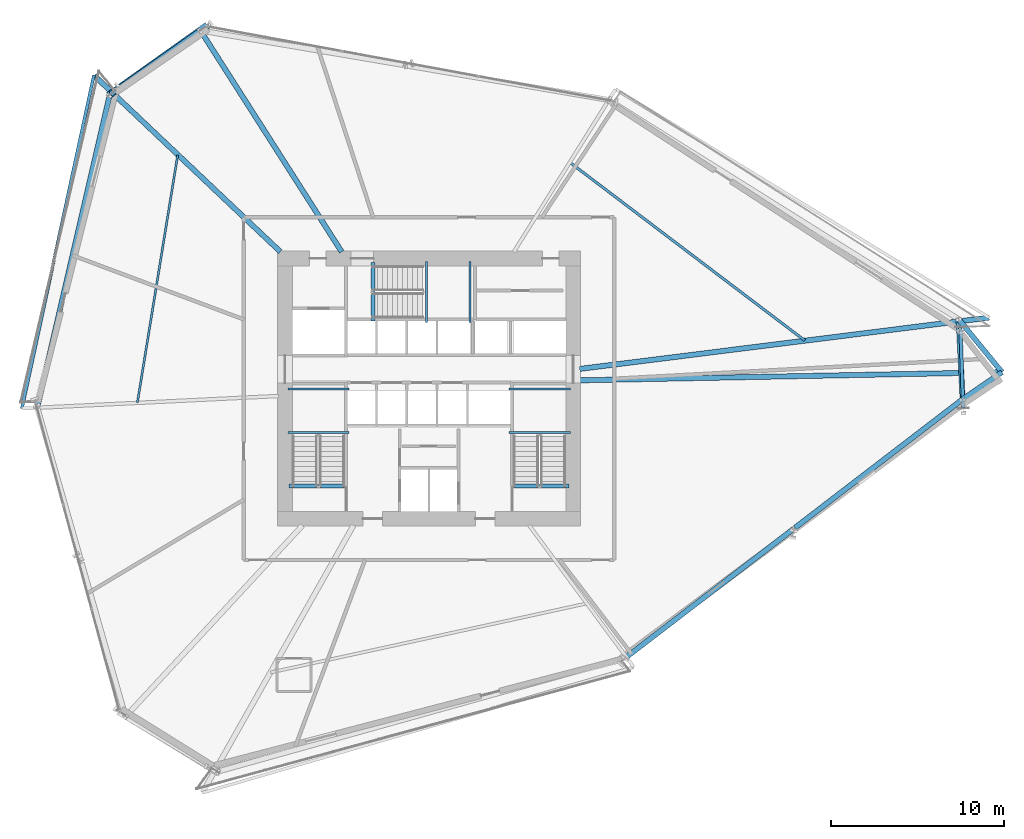
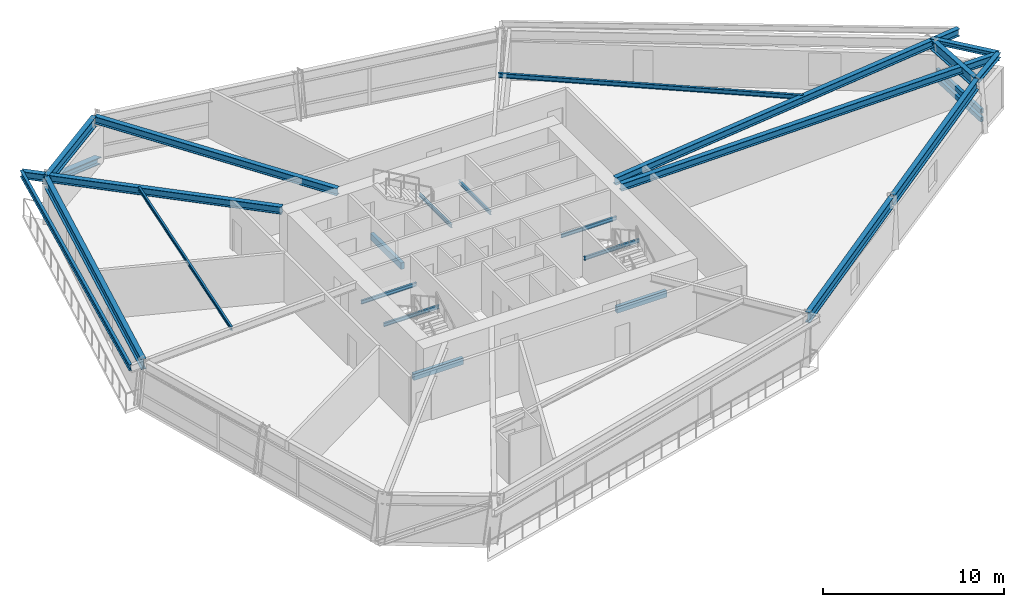
# One storey, part 7 of 20: 23 beams, 3 members.
"""IFC4 building model written with IfcOpenShell, lengths in metres."""

from ifc_helpers import new_model, si_unit, direction, frame, origin, origin_2d, place, context, subcontext, project, spatial, rectangle, hollow_rectangle, i_section, extrude, source, transform, mapped, material, material_profile, profile_set, type_object, element, save


model = new_model("IFC4")

# Units and contexts
model_context = context("Model", 3, precision=1e-05, world=origin(), true_north=direction((0.0, 1.0)))
body_context = subcontext(model_context, "Body", "Model", "MODEL_VIEW")
ifc_project = project(units=[si_unit("LENGTHUNIT", "METRE"), si_unit("AREAUNIT", "SQUARE_METRE"), si_unit("VOLUMEUNIT", "CUBIC_METRE"), si_unit("PLANEANGLEUNIT", "RADIAN"), si_unit("MASSUNIT", "GRAM", prefix="KILO")], contexts=[model_context])

# Site, building, storey
site_placement = place(None, origin())
site = spatial("IfcSite", under=ifc_project, at=site_placement, CompositionType="ELEMENT")
building_placement = place(site_placement, origin())
building = spatial("IfcBuilding", under=site, at=building_placement, Name="Olszyna Solenne Hotel", CompositionType="ELEMENT")
storey_placement = place(building_placement, frame((0.0, 0.0, 43.5)))
storey = spatial("IfcBuildingStorey", under=building, at=storey_placement, Name="L10", CompositionType="ELEMENT", Elevation=43.5)

# Beams
ifc_material_1 = material(Name="Steel S355J2", Category="steel")
ifc_material_profile_1 = material_profile(ifc_material_1, i_section(OverallWidth=0.300048828125, OverallDepth=0.699951171875, WebThickness=0.01708984375, FlangeThickness=0.031982421875, at=origin_2d()), Name="HEB 700", Category="load-bearing")
ifc_profile_set_1 = profile_set([ifc_material_profile_1], Name="Steel S355J2")
beam_type_1 = type_object("IfcBeamType", Name="BM-S1", PredefinedType="BEAM", material=ifc_profile_set_1)
shared_shape_1 = source(origin(), body_context, "Body", "SweptSolid", [
    extrude(i_section(OverallWidth=0.300048828125, OverallDepth=0.699951171875, WebThickness=0.01708984375, FlangeThickness=0.031982421875, at=origin_2d()), origin(), (0.0, 0.0, 1.0), 4.511474609375),
])
beam_1_placement = place(storey_placement, frame((68.8330078125, 26.047119140625, 2.949951171875), z_axis=(-0.049732488387, 0.998762574188, 0.0), x_axis=(-0.998762574188, -0.049732488387, 0.0)))
element("IfcBeam", 1, at=beam_1_placement, inside=storey, type_object=beam_type_1, Name="Perimeter spandrel beam BM-S1 B-L10-0318", PredefinedType="BEAM", context=body_context, shape_type="MappedRepresentation", body=[
    mapped(shared_shape_1, transform((0.0, 0.0, 0.0), x_axis=(1.0, 0.0, 0.0), y_axis=(0.0, 1.0, 0.0), z_axis=(0.0, 0.0, 1.0), scale=1.0)),
])
shared_shape_2 = source(origin(), body_context, "Body", "SweptSolid", [
    extrude(i_section(OverallWidth=0.300048828125, OverallDepth=0.699951171875, WebThickness=0.01708984375, FlangeThickness=0.031982421875, at=origin_2d()), origin(), (0.0, 0.0, 1.0), 6.298828125),
])
beam_2_placement = place(storey_placement, frame((24.7392578125, 47.263671875, 2.949951171875), z_axis=(-0.816109786851, -0.57789689029, 0.0), x_axis=(0.57789689029, -0.816109786851, 0.0)))
element("IfcBeam", 2, at=beam_2_placement, inside=storey, type_object=beam_type_1, Name="Perimeter spandrel beam BM-S1 B-L10-0322", PredefinedType="BEAM", context=body_context, shape_type="MappedRepresentation", body=[
    mapped(shared_shape_2, transform((0.0, 0.0, 0.0), x_axis=(1.0, 0.0, 0.0), y_axis=(0.0, 1.0, 0.0), z_axis=(0.0, 0.0, 1.0), scale=1.0)),
])
shared_shape_3 = source(origin(), body_context, "Body", "SweptSolid", [
    extrude(i_section(OverallWidth=0.300048828125, OverallDepth=0.699951171875, WebThickness=0.01708984375, FlangeThickness=0.031982421875, at=origin_2d()), origin(), (0.0, 0.0, 1.0), 18.447021484375),
])
beam_3_placement = place(storey_placement, frame((19.5361328125, 43.530517578125, 2.949951171875), z_axis=(-0.225742862137, -0.974186922615, 0.0), x_axis=(0.974186922615, -0.225742862137, 0.0)))
element("IfcBeam", 3, at=beam_3_placement, inside=storey, type_object=beam_type_1, Name="Perimeter spandrel beam BM-S1 B-L10-0323", PredefinedType="BEAM", context=body_context, shape_type="MappedRepresentation", body=[
    mapped(shared_shape_3, transform((0.0, 0.0, 0.0), x_axis=(1.0, 0.0, 0.0), y_axis=(0.0, 1.0, 0.0), z_axis=(0.0, 0.0, 1.0), scale=1.0)),
])
shared_shape_4 = source(origin(), body_context, "Body", "SweptSolid", [
    extrude(i_section(OverallWidth=0.300048828125, OverallDepth=0.699951171875, WebThickness=0.01708984375, FlangeThickness=0.031982421875, at=origin_2d()), origin(), (0.0, 0.0, 1.0), 12.140869140625),
])
beam_4_placement = place(storey_placement, frame((49.42333984375, 11.104248046875, 2.949951171875), z_axis=(0.793601506401, 0.608437876072, 0.0), x_axis=(-0.608437876072, 0.793601506401, 0.0)))
element("IfcBeam", 4, at=beam_4_placement, inside=storey, type_object=beam_type_1, Name="Perimeter spandrel beam BM-S1 B-L10-0328", PredefinedType="BEAM", context=body_context, shape_type="MappedRepresentation", body=[
    mapped(shared_shape_4, transform((0.0, 0.0, 0.0), x_axis=(1.0, 0.0, 0.0), y_axis=(0.0, 1.0, 0.0), z_axis=(0.0, 0.0, 1.0), scale=1.0)),
])
shared_shape_5 = source(origin(), body_context, "Body", "SweptSolid", [
    extrude(i_section(OverallWidth=0.300048828125, OverallDepth=0.699951171875, WebThickness=0.01708984375, FlangeThickness=0.031982421875, at=origin_2d()), origin(), (0.0, 0.0, 1.0), 12.140380859375),
])
beam_5_placement = place(storey_placement, frame((59.153564453125, 18.564208984375, 2.949951171875), z_axis=(0.793613481996, 0.60842225567, 0.0), x_axis=(-0.60842225567, 0.793613481996, 0.0)))
element("IfcBeam", 5, at=beam_5_placement, inside=storey, type_object=beam_type_1, Name="Perimeter spandrel beam BM-S1 B-L10-0329", PredefinedType="BEAM", context=body_context, shape_type="MappedRepresentation", body=[
    mapped(shared_shape_5, transform((0.0, 0.0, 0.0), x_axis=(1.0, 0.0, 0.0), y_axis=(0.0, 1.0, 0.0), z_axis=(0.0, 0.0, 1.0), scale=1.0)),
])
ifc_material_profile_2 = material_profile(ifc_material_1, i_section(OverallWidth=0.300048828125, OverallDepth=0.489990234375, WebThickness=0.011962890625, FlangeThickness=0.02294921875, at=origin_2d()), Name="HEA 500", Category="load-bearing")
ifc_profile_set_2 = profile_set([ifc_material_profile_2], Name="Steel S355J2")
beam_type_2 = type_object("IfcBeamType", Name="BM-G1", PredefinedType="BEAM", material=ifc_profile_set_2)
shared_shape_6 = source(origin(), body_context, "Body", "SweptSolid", [
    extrude(i_section(OverallWidth=0.300048828125, OverallDepth=0.489990234375, WebThickness=0.011962890625, FlangeThickness=0.02294921875, at=origin_2d()), origin(), (0.0, 0.0, 1.0), 24.3955078125),
])
beam_6_placement = place(storey_placement, frame((71.091064453125, 27.5517578125, 3.054931640625), z_axis=(-0.999814225078, -0.019274732971, 0.0), x_axis=(0.019274732971, -0.999814225078, 0.0)))
element("IfcBeam", 6, at=beam_6_placement, inside=storey, type_object=beam_type_2, Name="Radial floor girder BM-G1 B-L10-0330", PredefinedType="BEAM", context=body_context, shape_type="MappedRepresentation", body=[
    mapped(shared_shape_6, transform((0.0, 0.0, 0.0), x_axis=(1.0, 0.0, 0.0), y_axis=(0.0, 1.0, 0.0), z_axis=(0.0, 0.0, 1.0), scale=1.0)),
])
shared_shape_7 = source(origin(), body_context, "Body", "SweptSolid", [
    extrude(i_section(OverallWidth=0.300048828125, OverallDepth=0.489990234375, WebThickness=0.011962890625, FlangeThickness=0.02294921875, at=origin_2d()), origin(), (0.0, 0.0, 1.0), 23.84912109375),
])
beam_7_placement = place(storey_placement, frame((70.3642578125, 30.70751953125, 3.054931640625), z_axis=(-0.992232295061, -0.124398845003, 0.0), x_axis=(0.124398845003, -0.992232295061, 0.0)))
element("IfcBeam", 7, at=beam_7_placement, inside=storey, type_object=beam_type_2, Name="Radial floor girder BM-G1 B-L10-0331", PredefinedType="BEAM", context=body_context, shape_type="MappedRepresentation", body=[
    mapped(shared_shape_7, transform((0.0, 0.0, 0.0), x_axis=(1.0, 0.0, 0.0), y_axis=(0.0, 1.0, 0.0), z_axis=(0.0, 0.0, 1.0), scale=1.0)),
])
shared_shape_8 = source(origin(), body_context, "Body", "SweptSolid", [
    extrude(i_section(OverallWidth=0.300048828125, OverallDepth=0.489990234375, WebThickness=0.011962890625, FlangeThickness=0.02294921875, at=origin_2d()), origin(), (0.0, 0.0, 1.0), 15.114013671875),
])
beam_8_placement = place(storey_placement, frame((24.820556640625, 47.247802734375, 3.054931640625), z_axis=(0.538032034188, -0.842924391738, 0.0), x_axis=(0.842924391738, 0.538032034188, 0.0)))
element("IfcBeam", 8, at=beam_8_placement, inside=storey, type_object=beam_type_2, Name="Radial floor girder BM-G1 B-L10-0333", PredefinedType="BEAM", context=body_context, shape_type="MappedRepresentation", body=[
    mapped(shared_shape_8, transform((0.0, 0.0, 0.0), x_axis=(1.0, 0.0, 0.0), y_axis=(0.0, 1.0, 0.0), z_axis=(0.0, 0.0, 1.0), scale=1.0)),
])
shared_shape_9 = source(origin(), body_context, "Body", "SweptSolid", [
    extrude(i_section(OverallWidth=0.300048828125, OverallDepth=0.489990234375, WebThickness=0.011962890625, FlangeThickness=0.02294921875, at=origin_2d()), origin(), (0.0, 0.0, 1.0), 14.812744140625),
])
beam_9_placement = place(storey_placement, frame((18.645263671875, 44.69921875, 3.054931640625), z_axis=(0.726231537263, -0.687450183129, 0.0), x_axis=(0.687450183129, 0.726231537263, 0.0)))
element("IfcBeam", 9, at=beam_9_placement, inside=storey, type_object=beam_type_2, Name="Radial floor girder BM-G1 B-L10-0334", PredefinedType="BEAM", context=body_context, shape_type="MappedRepresentation", body=[
    mapped(shared_shape_9, transform((0.0, 0.0, 0.0), x_axis=(1.0, 0.0, 0.0), y_axis=(0.0, 1.0, 0.0), z_axis=(0.0, 0.0, 1.0), scale=1.0)),
])
ifc_material_profile_3 = material_profile(ifc_material_1, i_section(OverallWidth=0.300048828125, OverallDepth=0.31005859375, WebThickness=0.009033203125, FlangeThickness=0.015380859375, at=origin_2d()), Name="HEA 320", Category="load-bearing")
ifc_profile_set_3 = profile_set([ifc_material_profile_3], Name="Steel S355J2")
beam_type_3 = type_object("IfcBeamType", Name="BM-G3", PredefinedType="BEAM", material=ifc_profile_set_3)
shared_shape_10 = source(origin(), body_context, "Body", "SweptSolid", [
    extrude(i_section(OverallWidth=0.300048828125, OverallDepth=0.31005859375, WebThickness=0.009033203125, FlangeThickness=0.015380859375, at=origin_2d()), origin(), (0.0, 0.0, 1.0), 2.76123046875),
])
beam_10_placement = place(storey_placement, frame((68.8359375, 25.9873046875, 3.14501953125), z_axis=(0.823951621212, 0.566660150268, 0.0), x_axis=(-0.566660150268, 0.823951621212, 0.0)))
element("IfcBeam", 10, at=beam_10_placement, inside=storey, type_object=beam_type_3, Name="Prism side edge beam BM-G3 B-L10-0339", PredefinedType="BEAM", context=body_context, shape_type="MappedRepresentation", body=[
    mapped(shared_shape_10, transform((0.0, 0.0, 0.0), x_axis=(1.0, 0.0, 0.0), y_axis=(0.0, 1.0, 0.0), z_axis=(0.0, 0.0, 1.0), scale=1.0)),
])
shared_shape_11 = source(origin(), body_context, "Body", "SweptSolid", [
    extrude(i_section(OverallWidth=0.300048828125, OverallDepth=0.31005859375, WebThickness=0.009033203125, FlangeThickness=0.015380859375, at=origin_2d()), origin(), (0.0, 0.0, 1.0), 3.95556640625),
])
beam_11_placement = place(storey_placement, frame((68.605712890625, 30.613037109375, 3.14501953125), z_axis=(0.633372220643, -0.773847291213, 0.0), x_axis=(0.773847291213, 0.633372220643, 0.0)))
element("IfcBeam", 11, at=beam_11_placement, inside=storey, type_object=beam_type_3, Name="Prism side edge beam BM-G3 B-L10-0340", PredefinedType="BEAM", context=body_context, shape_type="MappedRepresentation", body=[
    mapped(shared_shape_11, transform((0.0, 0.0, 0.0), x_axis=(1.0, 0.0, 0.0), y_axis=(0.0, 1.0, 0.0), z_axis=(0.0, 0.0, 1.0), scale=1.0)),
])
ifc_material_profile_4 = material_profile(ifc_material_1, i_section(OverallWidth=0.14990234375, OverallDepth=0.300048828125, WebThickness=0.007080078125, FlangeThickness=0.0107421875, at=origin_2d()), Name="IPE 300", Category="load-bearing")
ifc_profile_set_4 = profile_set([ifc_material_profile_4], Name="Steel S355J2")
beam_type_4 = type_object("IfcBeamType", Name="JS-02", PredefinedType="JOIST", material=ifc_profile_set_4)
shared_shape_12 = source(origin(), body_context, "Body", "SweptSolid", [
    extrude(i_section(OverallWidth=0.14990234375, OverallDepth=0.300048828125, WebThickness=0.007080078125, FlangeThickness=0.0107421875, at=origin_2d()), origin(), (0.0, 0.0, 1.0), 17.016357421875),
])
beam_12_placement = place(storey_placement, frame((59.71044921875, 29.385986328125, 3.14990234375), z_axis=(-0.796855614126, 0.604169785935, 0.0), x_axis=(-0.604169785935, -0.796855614126, 0.0)))
element("IfcBeam", 12, at=beam_12_placement, inside=storey, type_object=beam_type_4, Name="Secondary composite floor joist JS-02 B-L10-0341", PredefinedType="JOIST", context=body_context, shape_type="MappedRepresentation", body=[
    mapped(shared_shape_12, transform((0.0, 0.0, 0.0), x_axis=(1.0, 0.0, 0.0), y_axis=(0.0, 1.0, 0.0), z_axis=(0.0, 0.0, 1.0), scale=1.0)),
])
ifc_material_profile_5 = material_profile(ifc_material_1, i_section(OverallWidth=0.1201171875, OverallDepth=0.239990234375, WebThickness=0.006103515625, FlangeThickness=0.009765625, at=origin_2d()), Name="IPE 240", Category="load-bearing")
ifc_profile_set_5 = profile_set([ifc_material_profile_5], Name="Steel S355J2")
beam_type_5 = type_object("IfcBeamType", Name="JS-03", PredefinedType="JOIST", material=ifc_profile_set_5)
shared_shape_13 = source(origin(), body_context, "Body", "SweptSolid", [
    extrude(i_section(OverallWidth=0.1201171875, OverallDepth=0.239990234375, WebThickness=0.006103515625, FlangeThickness=0.009765625, at=origin_2d()), origin(), (0.0, 0.0, 1.0), 14.494140625),
])
beam_13_placement = place(storey_placement, frame((23.47509765625, 40.1044921875, 3.179931640625), z_axis=(-0.160674838866, -0.987007394175, 0.0), x_axis=(0.987007394175, -0.160674838866, 0.0)))
element("IfcBeam", 13, at=beam_13_placement, inside=storey, type_object=beam_type_5, Name="Secondary composite floor joist JS-03 B-L10-0342", PredefinedType="JOIST", context=body_context, shape_type="MappedRepresentation", body=[
    mapped(shared_shape_13, transform((0.0, 0.0, 0.0), x_axis=(1.0, 0.0, 0.0), y_axis=(0.0, 1.0, 0.0), z_axis=(0.0, 0.0, 1.0), scale=1.0)),
])
ifc_material_profile_6 = material_profile(ifc_material_1, i_section(OverallWidth=0.179931640625, OverallDepth=0.39990234375, WebThickness=0.008544921875, FlangeThickness=0.013427734375, at=origin_2d()), Name="IPE 400", Category="load-bearing")
ifc_profile_set_6 = profile_set([ifc_material_profile_6], Name="Steel S355J2")
beam_type_6 = type_object("IfcBeamType", Name="BM-F5", PredefinedType="BEAM", material=ifc_profile_set_6)
shared_shape_14 = source(origin(), body_context, "Body", "SweptSolid", [
    extrude(i_section(OverallWidth=0.179931640625, OverallDepth=0.39990234375, WebThickness=0.008544921875, FlangeThickness=0.013427734375, at=origin_2d()), origin(), (0.0, 0.0, 1.0), 19.704833984375),
])
beam_14_placement = place(storey_placement, frame((18.630615234375, 44.712890625, 3.10009765625), z_axis=(-0.211184674121, -0.977446179294, 0.0), x_axis=(0.977446179294, -0.211184674121, 0.0)))
element("IfcBeam", 14, at=beam_14_placement, inside=storey, type_object=beam_type_6, Name="Loggia outer edge beam BM-F5 B-L10-0345", PredefinedType="BEAM", context=body_context, shape_type="MappedRepresentation", body=[
    mapped(shared_shape_14, transform((0.0, 0.0, 0.0), x_axis=(1.0, 0.0, 0.0), y_axis=(0.0, 1.0, 0.0), z_axis=(0.0, 0.0, 1.0), scale=1.0)),
])

# Members
ifc_material_profile_7 = material_profile(ifc_material_1, hollow_rectangle(XDim=0.199951171875, YDim=0.300048828125, WallThickness=0.01611328125, at=origin_2d()), Name="RHS 300x200x16", Category="load-bearing")
ifc_profile_set_7 = profile_set([ifc_material_profile_7], Name="Steel S355J2")
member_type_1 = type_object("IfcMemberType", Name="CH-PR1", PredefinedType="CHORD", material=ifc_profile_set_7)
shared_shape_15 = source(origin(), body_context, "Body", "SweptSolid", [
    extrude(hollow_rectangle(XDim=0.199951171875, YDim=0.300048828125, WallThickness=0.01611328125, at=origin_2d()), origin(), (0.0, 0.0, 1.0), 4.669677734375),
])
for number, where, z_axis, x_axis, name in (
    (15, (68.867431640625, 25.48583984375, 1.35009765625), (-0.034035510898, 0.999420624161, 0.0), (-0.999420624161, -0.034035510898, 0.0), "Glass-prism tie chord CH-PR1 M-L10-PR1"),
    (16, (68.867431640625, 25.48583984375, 0.780029296875), (-0.034035510898, 0.999420624161, 0.0), (-0.999420624161, -0.034035510898, 0.0), "Glass-prism tie chord CH-PR1 M-L10-PR2"),
):
    element("IfcMember", number, at=place(storey_placement, frame(where, z_axis=z_axis, x_axis=x_axis)), inside=storey, type_object=member_type_1, Name=name, PredefinedType="CHORD", context=body_context, shape_type="MappedRepresentation", body=[
        mapped(shared_shape_15, transform((0.0, 0.0, 0.0), x_axis=(1.0, 0.0, 0.0), y_axis=(0.0, 1.0, 0.0), z_axis=(0.0, 0.0, 1.0), scale=1.0)),
    ])
ifc_material_2 = material(Name="Steel S460M", Category="steel")
ifc_material_profile_8 = material_profile(ifc_material_2, i_section(OverallWidth=0.412109375, OverallDepth=0.43505859375, WebThickness=0.031494140625, FlangeThickness=0.050048828125, at=origin_2d()), Name="HD 400x463", Category="load-bearing")
ifc_profile_set_8 = profile_set([ifc_material_profile_8], Name="Steel S460M")
member_type_2 = type_object("IfcMemberType", Name="BR-T1", PredefinedType="BRACE", material=ifc_profile_set_8)
shared_shape_16 = source(origin(), body_context, "Body", "SweptSolid", [
    extrude(i_section(OverallWidth=0.412109375, OverallDepth=0.43505859375, WebThickness=0.031494140625, FlangeThickness=0.050048828125, at=origin_2d()), origin(), (0.0, 0.0, 1.0), 7.418701171875),
])
member_placement = place(storey_placement, frame((25.11474609375, 47.541748046875, 0.010009765625), z_axis=(-0.75016568494, -0.532833191703, 0.391586816631), x_axis=(0.579077658401, -0.815272387329, 0.0)))
element("IfcMember", 17, at=member_placement, inside=storey, type_object=member_type_2, Name="Perimeter braced-tube diagonal BR-T1 BR-L10-2", PredefinedType="BRACE", context=body_context, shape_type="MappedRepresentation", body=[
    mapped(shared_shape_16, transform((0.0, 0.0, 0.0), x_axis=(1.0, 0.0, 0.0), y_axis=(0.0, 1.0, 0.0), z_axis=(0.0, 0.0, 1.0), scale=1.0)),
])

# Beams
shared_shape_17 = source(origin(), body_context, "Body", "SweptSolid", [
    extrude(i_section(OverallWidth=0.1201171875, OverallDepth=0.239990234375, WebThickness=0.006103515625, FlangeThickness=0.009765625, at=origin_2d()), origin(), (0.0, 0.0, 1.0), 3.539794921875),
])
for number, where, z_axis, x_axis, name in (
    (18, (33.3798828125, 24.070068359375, 1.449951171875), (-1.0, 0.0, 0.0), (0.0, -1.0, 0.0), "Stair landing support beam JS-03 SLB-ST1-0025"),
    (19, (33.3798828125, 26.580078125, 1.449951171875), (-1.0, 0.0, 0.0), (0.0, -1.0, 0.0), "Stair landing support beam JS-03 SLB-ST1-0026"),
    (20, (46.159912109375, 24.070068359375, 1.449951171875), (-1.0, 0.0, 0.0), (0.0, -1.0, 0.0), "Stair landing support beam JS-03 SLB-ST2-0265"),
    (21, (46.159912109375, 26.580078125, 1.449951171875), (-1.0, 0.0, 0.0), (0.0, -1.0, 0.0), "Stair landing support beam JS-03 SLB-ST2-0266"),
):
    element("IfcBeam", number, at=place(storey_placement, frame(where, z_axis=z_axis, x_axis=x_axis)), inside=storey, type_object=beam_type_5, Name=name, PredefinedType="JOIST", context=body_context, shape_type="MappedRepresentation", body=[
        mapped(shared_shape_17, transform((0.0, 0.0, 0.0), x_axis=(1.0, 0.0, 0.0), y_axis=(0.0, 1.0, 0.0), z_axis=(0.0, 0.0, 1.0), scale=1.0)),
    ])
ifc_material_3 = material(Name="Concrete C50/60", Category="concrete")
ifc_material_profile_9 = material_profile(ifc_material_3, rectangle(XDim=0.219970703125, YDim=0.43994140625, at=origin_2d()), Name="RC 220x440", Category="load-bearing")
ifc_profile_set_9 = profile_set([ifc_material_profile_9], Name="Concrete C50/60")
beam_type_7 = type_object("IfcBeamType", Name="BM-ST1", PredefinedType="BEAM", material=ifc_profile_set_9)
shared_shape_18 = source(origin(), body_context, "Body", "SweptSolid", [
    extrude(rectangle(XDim=0.219970703125, YDim=0.43994140625, at=origin_2d()), origin(), (0.0, 0.0, 1.0), 3.18017578125),
])
for number, where, z_axis, x_axis, name in (
    (22, (33.10009765625, 20.97998046875, -0.205078125), (-1.0, 0.0, 0.0), (0.0, -1.0, 0.0), "Concrete stair trimmer beam BM-ST1 SHB-ST1-0172"),
    (23, (46.080078125, 20.97998046875, -0.205078125), (-1.0, 0.0, 0.0), (0.0, -1.0, 0.0), "Concrete stair trimmer beam BM-ST1 SHB-ST2-0412"),
):
    element("IfcBeam", number, at=place(storey_placement, frame(where, z_axis=z_axis, x_axis=x_axis)), inside=storey, type_object=beam_type_7, Name=name, PredefinedType="BEAM", context=body_context, shape_type="MappedRepresentation", body=[
        mapped(shared_shape_18, transform((0.0, 0.0, 0.0), x_axis=(1.0, 0.0, 0.0), y_axis=(0.0, 1.0, 0.0), z_axis=(0.0, 0.0, 1.0), scale=1.0)),
    ])
shared_shape_19 = source(origin(), body_context, "Body", "SweptSolid", [
    extrude(i_section(OverallWidth=0.1201171875, OverallDepth=0.239990234375, WebThickness=0.006103515625, FlangeThickness=0.009765625, at=origin_2d()), origin(), (0.0, 0.0, 1.0), 3.5400390625),
])
for number, where, z_axis, x_axis, name in (
    (24, (37.85009765625, 30.419921875, 1.449951171875), (0.0, 1.0, 0.0), (-1.0, 0.0, 0.0), "Stair landing support beam JS-03 SLB-ST3-0505"),
    (25, (40.360107421875, 30.419921875, 1.449951171875), (0.0, 1.0, 0.0), (-1.0, 0.0, 0.0), "Stair landing support beam JS-03 SLB-ST3-0506"),
):
    element("IfcBeam", number, at=place(storey_placement, frame(where, z_axis=z_axis, x_axis=x_axis)), inside=storey, type_object=beam_type_5, Name=name, PredefinedType="JOIST", context=body_context, shape_type="MappedRepresentation", body=[
        mapped(shared_shape_19, transform((0.0, 0.0, 0.0), x_axis=(1.0, 0.0, 0.0), y_axis=(0.0, 1.0, 0.0), z_axis=(0.0, 0.0, 1.0), scale=1.0)),
    ])
shared_shape_20 = source(origin(), body_context, "Body", "SweptSolid", [
    extrude(rectangle(XDim=0.219970703125, YDim=0.43994140625, at=origin_2d()), origin(), (0.0, 0.0, 1.0), 3.3798828125),
])
beam_15_placement = place(storey_placement, frame((34.760009765625, 30.5, -0.205078125), z_axis=(0.0, 1.0, 0.0), x_axis=(-1.0, 0.0, 0.0)))
element("IfcBeam", 26, at=beam_15_placement, inside=storey, type_object=beam_type_7, Name="Concrete stair trimmer beam BM-ST1 SHB-ST3-0650", PredefinedType="BEAM", context=body_context, shape_type="MappedRepresentation", body=[
    mapped(shared_shape_20, transform((0.0, 0.0, 0.0), x_axis=(1.0, 0.0, 0.0), y_axis=(0.0, 1.0, 0.0), z_axis=(0.0, 0.0, 1.0), scale=1.0)),
])

save(model, "model.ifc")
